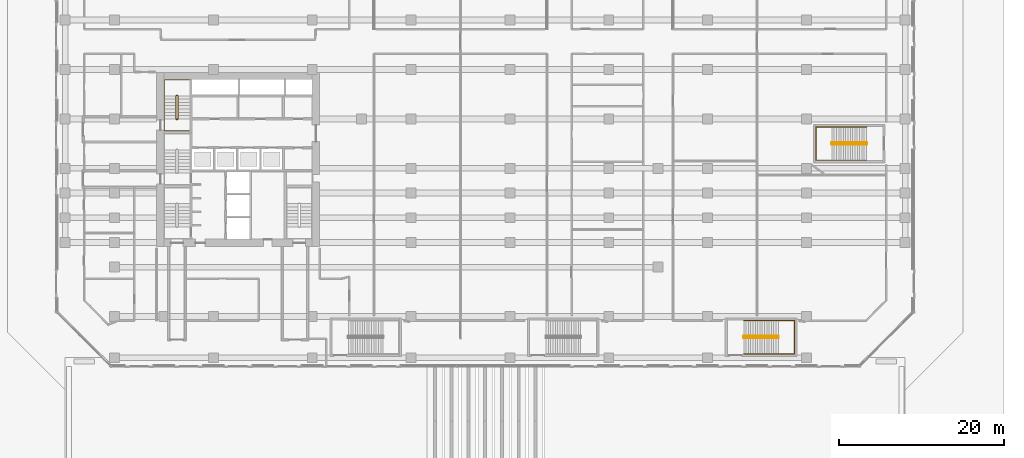
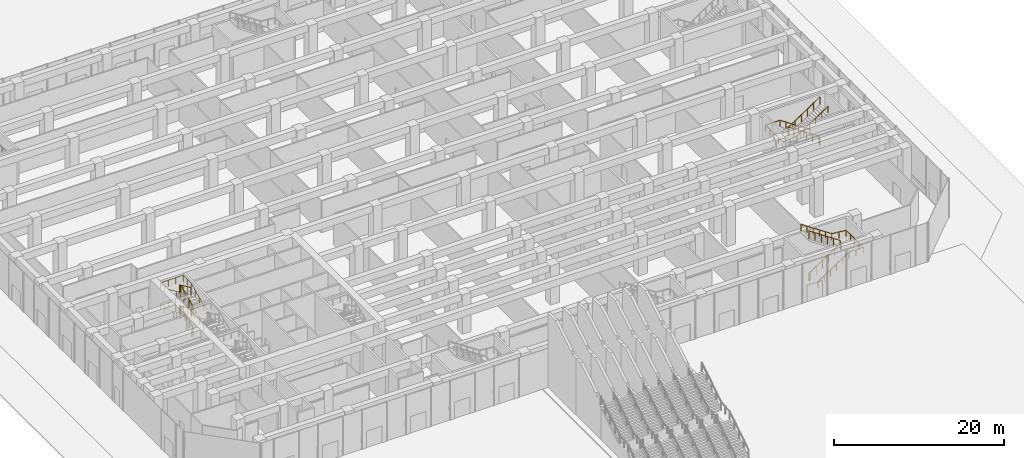
# One storey, part 30 of 32: 6 railings.
"""IFC4 building model written with IfcOpenShell, lengths in metres."""

from ifc_helpers import new_model, si_unit, direction, frame, origin, origin_2d, place, context, subcontext, project, spatial, circle, extrude, material, type_object, element, save


model = new_model("IFC4")

# Units and contexts
model_context = context("Model", 3, precision=1e-05, world=origin(), true_north=direction((0.0, 1.0)))
body_context = subcontext(model_context, "Body", "Model", "MODEL_VIEW")
ifc_project = project(units=[si_unit("LENGTHUNIT", "METRE"), si_unit("AREAUNIT", "SQUARE_METRE"), si_unit("VOLUMEUNIT", "CUBIC_METRE"), si_unit("PLANEANGLEUNIT", "RADIAN"), si_unit("MASSUNIT", "GRAM", prefix="KILO")], contexts=[model_context])

# Site, building, storey
site_placement = place(None, origin())
site = spatial("IfcSite", under=ifc_project, at=site_placement, CompositionType="ELEMENT")
building_placement = place(site_placement, origin())
building = spatial("IfcBuilding", under=site, at=building_placement, Name="Welwitschia Terrace Campus", CompositionType="ELEMENT")
storey_placement = place(building_placement, origin())
storey = spatial("IfcBuildingStorey", under=building, at=storey_placement, Name="L00", CompositionType="ELEMENT", Elevation=0.0)

# Railings
ifc_material_1 = material(Name="Steel S355", Category="steel")
railing_type_1 = type_object("IfcRailingType", Name="Stair guard 1100", PredefinedType="GUARDRAIL", material=ifc_material_1)
railing_1_placement = place(storey_placement, frame((7.5, 19.949951171875, 0.0)))
element("IfcRailing", 1, at=railing_1_placement, inside=storey, type_object=railing_type_1, Name="L00 S4 stair guard", PredefinedType="GUARDRAIL", context=body_context, shape_type="SweptSolid", body=[
    extrude(circle(Radius=0.02392578125, at=origin_2d()), frame((0.0, 0.0, 1.076171875), z_axis=(1.0, 0.0, 0.0), x_axis=(0.0, 1.0, 0.0)), (0.0, 0.0, 1.0), 0.14990234375),
    extrude(circle(Radius=0.02392578125, at=origin_2d()), frame((0.14990234375, 0.0, 1.076171875), z_axis=(0.249726431254, 0.249726431254, 0.935560483917), x_axis=(-0.707106781187, 0.707106781187, 0.0)), (0.0, 0.0, 1.0), 0.200439453125),
    extrude(circle(Radius=0.02392578125, at=origin_2d()), frame((0.199951171875, 0.050048828125, 1.263671875), z_axis=(0.0, 0.905461780365, 0.424427808112), x_axis=(-1.0, 0.0, 0.0)), (0.0, 0.0, 1.0), 3.09228515625),
    extrude(circle(Radius=0.02392578125, at=origin_2d()), frame((0.199951171875, 2.85009765625, 2.576171875), z_axis=(-0.707106781187, 0.707106781187, 0.0), x_axis=(-0.707106781187, -0.707106781187, 0.0)), (0.0, 0.0, 1.0), 0.07080078125),
    extrude(circle(Radius=0.02392578125, at=origin_2d()), frame((0.14990234375, 2.900146484375, 2.576171875), z_axis=(-1.0, 0.0, 0.0), x_axis=(0.0, -1.0, 0.0)), (0.0, 0.0, 1.0), 0.14990234375),
    extrude(circle(Radius=0.02392578125, at=origin_2d()), frame((0.0, 2.900146484375, 2.576171875), z_axis=(-0.249726431254, -0.249726431254, 0.935560483917), x_axis=(0.707106781187, -0.707106781187, 0.0)), (0.0, 0.0, 1.0), 0.200439453125),
    extrude(circle(Radius=0.02392578125, at=origin_2d()), frame((-0.050048828125, 2.85009765625, 2.763671875), z_axis=(0.0, -0.905461780365, 0.424427808112), x_axis=(1.0, 0.0, 0.0)), (0.0, 0.0, 1.0), 3.09228515625),
    extrude(circle(Radius=0.02392578125, at=origin_2d()), frame((-0.050048828125, 0.050048828125, 4.076171875), z_axis=(0.970072785993, -0.242814311512, 0.0), x_axis=(0.242814311512, 0.970072785993, 0.0)), (0.0, 0.0, 1.0), 0.2060546875),
    extrude(circle(Radius=0.02392578125, at=origin_2d()), frame((0.14990234375, 0.0, 4.076171875), z_axis=(-1.0, 0.0, 0.0), x_axis=(0.0, -1.0, 0.0)), (0.0, 0.0, 1.0), 0.14990234375),
    extrude(circle(Radius=0.02392578125, at=origin_2d()), frame((0.0, 0.0, 4.076171875), z_axis=(0.717590528518, 0.179616676857, 0.672905404032), x_axis=(-0.242814311512, 0.970072785993, 0.0)), (0.0, 0.0, 1.0), 0.278564453125),
    extrude(circle(Radius=0.02392578125, at=origin_2d()), frame((0.199951171875, 0.050048828125, 4.263671875), z_axis=(0.0, 0.905461780365, 0.424427808112), x_axis=(-1.0, 0.0, 0.0)), (0.0, 0.0, 1.0), 3.09228515625),
    extrude(circle(Radius=0.02392578125, at=origin_2d()), frame((0.199951171875, 2.85009765625, 5.576171875), z_axis=(-0.707106781187, 0.707106781187, 0.0), x_axis=(-0.707106781187, -0.707106781187, 0.0)), (0.0, 0.0, 1.0), 0.07080078125),
    extrude(circle(Radius=0.02392578125, at=origin_2d()), frame((0.14990234375, 2.900146484375, 5.576171875), z_axis=(-1.0, 0.0, 0.0), x_axis=(0.0, -1.0, 0.0)), (0.0, 0.0, 1.0), 0.14990234375),
    extrude(circle(Radius=0.02392578125, at=origin_2d()), frame((0.0, 2.900146484375, 5.576171875), z_axis=(-0.249726431254, -0.249726431254, 0.935560483917), x_axis=(0.707106781187, -0.707106781187, 0.0)), (0.0, 0.0, 1.0), 0.200439453125),
    extrude(circle(Radius=0.02392578125, at=origin_2d()), frame((-0.050048828125, 2.85009765625, 5.763671875), z_axis=(0.0, -0.905461780365, 0.424427808112), x_axis=(1.0, 0.0, 0.0)), (0.0, 0.0, 1.0), 3.09228515625),
    extrude(circle(Radius=0.02099609375, at=origin_2d()), origin(), (0.0, 0.0, 1.0), 1.052001953125),
    extrude(circle(Radius=0.02099609375, at=origin_2d()), frame((0.14990234375, 0.0, 0.0)), (0.0, 0.0, 1.0), 1.052001953125),
    extrude(circle(Radius=0.02099609375, at=origin_2d()), frame((0.199951171875, 0.050048828125, 0.1875)), (0.0, 0.0, 1.0), 1.052001953125),
    extrude(circle(Radius=0.02099609375, at=origin_2d()), frame((0.199951171875, 0.9833984375, 0.625)), (0.0, 0.0, 1.0), 1.052001953125),
    extrude(circle(Radius=0.02099609375, at=origin_2d()), frame((0.199951171875, 1.916748046875, 1.0625)), (0.0, 0.0, 1.0), 1.052001953125),
    extrude(circle(Radius=0.02099609375, at=origin_2d()), frame((0.199951171875, 2.85009765625, 1.5)), (0.0, 0.0, 1.0), 1.052001953125),
    extrude(circle(Radius=0.02099609375, at=origin_2d()), frame((0.14990234375, 2.900146484375, 1.5)), (0.0, 0.0, 1.0), 1.052001953125),
    extrude(circle(Radius=0.02099609375, at=origin_2d()), frame((0.0, 2.900146484375, 1.5)), (0.0, 0.0, 1.0), 1.052001953125),
    extrude(circle(Radius=0.02099609375, at=origin_2d()), frame((-0.050048828125, 2.85009765625, 1.6875)), (0.0, 0.0, 1.0), 1.052001953125),
    extrude(circle(Radius=0.02099609375, at=origin_2d()), frame((-0.050048828125, 1.916748046875, 2.125)), (0.0, 0.0, 1.0), 1.052001953125),
    extrude(circle(Radius=0.02099609375, at=origin_2d()), frame((-0.050048828125, 0.9833984375, 2.5625)), (0.0, 0.0, 1.0), 1.052001953125),
    extrude(circle(Radius=0.02099609375, at=origin_2d()), frame((-0.050048828125, 0.050048828125, 3.0)), (0.0, 0.0, 1.0), 1.052001953125),
    extrude(circle(Radius=0.02099609375, at=origin_2d()), frame((0.14990234375, 0.0, 3.0)), (0.0, 0.0, 1.0), 1.052001953125),
    extrude(circle(Radius=0.02099609375, at=origin_2d()), frame((0.0, 0.0, 3.0)), (0.0, 0.0, 1.0), 1.052001953125),
    extrude(circle(Radius=0.02099609375, at=origin_2d()), frame((0.199951171875, 0.050048828125, 3.1875)), (0.0, 0.0, 1.0), 1.052001953125),
    extrude(circle(Radius=0.02099609375, at=origin_2d()), frame((0.199951171875, 0.9833984375, 3.625)), (0.0, 0.0, 1.0), 1.052001953125),
    extrude(circle(Radius=0.02099609375, at=origin_2d()), frame((0.199951171875, 1.916748046875, 4.0625)), (0.0, 0.0, 1.0), 1.052001953125),
    extrude(circle(Radius=0.02099609375, at=origin_2d()), frame((0.199951171875, 2.85009765625, 4.5)), (0.0, 0.0, 1.0), 1.052001953125),
    extrude(circle(Radius=0.02099609375, at=origin_2d()), frame((0.14990234375, 2.900146484375, 4.5)), (0.0, 0.0, 1.0), 1.052001953125),
    extrude(circle(Radius=0.02099609375, at=origin_2d()), frame((0.0, 2.900146484375, 4.5)), (0.0, 0.0, 1.0), 1.052001953125),
    extrude(circle(Radius=0.02099609375, at=origin_2d()), frame((-0.050048828125, 2.85009765625, 4.6875)), (0.0, 0.0, 1.0), 1.052001953125),
    extrude(circle(Radius=0.02099609375, at=origin_2d()), frame((-0.050048828125, 1.916748046875, 5.125)), (0.0, 0.0, 1.0), 1.052001953125),
    extrude(circle(Radius=0.02099609375, at=origin_2d()), frame((-0.050048828125, 0.9833984375, 5.5625)), (0.0, 0.0, 1.0), 1.052001953125),
    extrude(circle(Radius=0.02099609375, at=origin_2d()), frame((-0.050048828125, 0.050048828125, 6.0)), (0.0, 0.0, 1.0), 1.052001953125),
])
railing_2_placement = place(storey_placement, frame((76.35009765625, -6.425048828125, 0.0)))
element("IfcRailing", 2, at=railing_2_placement, inside=storey, type_object=railing_type_1, Name="L00 P5 stair guard", PredefinedType="GUARDRAIL", context=body_context, shape_type="SweptSolid", body=[
    extrude(circle(Radius=0.02392578125, at=origin_2d()), frame((0.0, 0.0, 1.076171875), z_axis=(0.0, -1.0, 0.0), x_axis=(1.0, 0.0, 0.0)), (0.0, 0.0, 1.0), 0.14990234375),
    extrude(circle(Radius=0.02392578125, at=origin_2d()), frame((0.0, -0.14990234375, 1.076171875), z_axis=(0.248583702486, -0.249802250048, 0.935844527007), x_axis=(0.708833529934, 0.705375805398, 0.0)), (0.0, 0.0, 1.0), 0.200439453125),
    extrude(circle(Radius=0.02392578125, at=origin_2d()), frame((0.0498046875, -0.199951171875, 1.263671875), z_axis=(0.830919138977, 0.0, 0.55639319234), x_axis=(0.0, 1.0, 0.0)), (0.0, 0.0, 1.0), 5.054931640625),
    extrude(circle(Radius=0.02392578125, at=origin_2d()), frame((4.25, -0.199951171875, 4.076171875), z_axis=(0.705375805398, 0.708833529934, 0.0), x_axis=(-0.708833529934, 0.705375805398, 0.0)), (0.0, 0.0, 1.0), 0.070556640625),
    extrude(circle(Radius=0.02392578125, at=origin_2d()), frame((4.2998046875, -0.14990234375, 4.076171875), z_axis=(0.0, 1.0, 0.0), x_axis=(-1.0, 0.0, 0.0)), (0.0, 0.0, 1.0), 0.14990234375),
    extrude(circle(Radius=0.02392578125, at=origin_2d()), frame((4.2998046875, 0.0, 4.076171875), z_axis=(-0.248583702486, 0.249802250048, 0.935844527007), x_axis=(-0.708833529934, -0.705375805398, 0.0)), (0.0, 0.0, 1.0), 0.200439453125),
    extrude(circle(Radius=0.02392578125, at=origin_2d()), frame((4.25, 0.050048828125, 4.263671875), z_axis=(-0.830919138977, 0.0, 0.55639319234), x_axis=(0.0, -1.0, 0.0)), (0.0, 0.0, 1.0), 5.054931640625),
    extrude(circle(Radius=0.02099609375, at=origin_2d()), origin(), (0.0, 0.0, 1.0), 1.052001953125),
    extrude(circle(Radius=0.02099609375, at=origin_2d()), frame((0.0, -0.14990234375, 0.0)), (0.0, 0.0, 1.0), 1.052001953125),
    extrude(circle(Radius=0.02099609375, at=origin_2d()), frame((0.0498046875, -0.199951171875, 0.1875)), (0.0, 0.0, 1.0), 1.052001953125),
    extrude(circle(Radius=0.02099609375, at=origin_2d()), frame((0.889892578125, -0.199951171875, 0.75)), (0.0, 0.0, 1.0), 1.052001953125),
    extrude(circle(Radius=0.02099609375, at=origin_2d()), frame((1.72998046875, -0.199951171875, 1.3125)), (0.0, 0.0, 1.0), 1.052001953125),
    extrude(circle(Radius=0.02099609375, at=origin_2d()), frame((2.56982421875, -0.199951171875, 1.875)), (0.0, 0.0, 1.0), 1.052001953125),
    extrude(circle(Radius=0.02099609375, at=origin_2d()), frame((3.409912109375, -0.199951171875, 2.4375)), (0.0, 0.0, 1.0), 1.052001953125),
    extrude(circle(Radius=0.02099609375, at=origin_2d()), frame((4.25, -0.199951171875, 3.0)), (0.0, 0.0, 1.0), 1.052001953125),
    extrude(circle(Radius=0.02099609375, at=origin_2d()), frame((4.2998046875, -0.14990234375, 3.0)), (0.0, 0.0, 1.0), 1.052001953125),
    extrude(circle(Radius=0.02099609375, at=origin_2d()), frame((4.2998046875, 0.0, 3.0)), (0.0, 0.0, 1.0), 1.052001953125),
    extrude(circle(Radius=0.02099609375, at=origin_2d()), frame((4.25, 0.050048828125, 3.1875)), (0.0, 0.0, 1.0), 1.052001953125),
    extrude(circle(Radius=0.02099609375, at=origin_2d()), frame((3.409912109375, 0.050048828125, 3.75)), (0.0, 0.0, 1.0), 1.052001953125),
    extrude(circle(Radius=0.02099609375, at=origin_2d()), frame((2.56982421875, 0.050048828125, 4.3125)), (0.0, 0.0, 1.0), 1.052001953125),
    extrude(circle(Radius=0.02099609375, at=origin_2d()), frame((1.72998046875, 0.050048828125, 4.875)), (0.0, 0.0, 1.0), 1.052001953125),
    extrude(circle(Radius=0.02099609375, at=origin_2d()), frame((0.889892578125, 0.050048828125, 5.4375)), (0.0, 0.0, 1.0), 1.052001953125),
    extrude(circle(Radius=0.02099609375, at=origin_2d()), frame((0.0498046875, 0.050048828125, 6.0)), (0.0, 0.0, 1.0), 1.052001953125),
])
railing_3_placement = place(storey_placement, frame((91.35009765625, 16.925048828125, 0.0)))
element("IfcRailing", 3, at=railing_3_placement, inside=storey, type_object=railing_type_1, Name="L00 P6 stair guard", PredefinedType="GUARDRAIL", context=body_context, shape_type="SweptSolid", body=[
    extrude(circle(Radius=0.02392578125, at=origin_2d()), frame((0.0, 0.0, 1.076171875), z_axis=(0.0, 1.0, 0.0), x_axis=(-1.0, 0.0, 0.0)), (0.0, 0.0, 1.0), 0.14990234375),
    extrude(circle(Radius=0.02392578125, at=origin_2d()), frame((0.0, 0.14990234375, 1.076171875), z_axis=(-0.249726431254, 0.249726431254, 0.935560483917), x_axis=(-0.707106781187, -0.707106781187, 0.0)), (0.0, 0.0, 1.0), 0.200439453125),
    extrude(circle(Radius=0.02392578125, at=origin_2d()), frame((-0.050048828125, 0.199951171875, 1.263671875), z_axis=(-0.830904186295, 0.0, 0.556415522067), x_axis=(0.0, -1.0, 0.0)), (0.0, 0.0, 1.0), 5.0546875),
    extrude(circle(Radius=0.02392578125, at=origin_2d()), frame((-4.25, 0.199951171875, 4.076171875), z_axis=(-0.707106781187, -0.707106781187, 0.0), x_axis=(0.707106781187, -0.707106781187, 0.0)), (0.0, 0.0, 1.0), 0.07080078125),
    extrude(circle(Radius=0.02392578125, at=origin_2d()), frame((-4.300048828125, 0.14990234375, 4.076171875), z_axis=(0.0, -1.0, 0.0), x_axis=(1.0, 0.0, 0.0)), (0.0, 0.0, 1.0), 0.14990234375),
    extrude(circle(Radius=0.02392578125, at=origin_2d()), frame((-4.300048828125, 0.0, 4.076171875), z_axis=(0.249726431254, -0.249726431254, 0.935560483917), x_axis=(0.707106781187, 0.707106781187, 0.0)), (0.0, 0.0, 1.0), 0.200439453125),
    extrude(circle(Radius=0.02392578125, at=origin_2d()), frame((-4.25, -0.050048828125, 4.263671875), z_axis=(0.830904186295, 0.0, 0.556415522067), x_axis=(0.0, 1.0, 0.0)), (0.0, 0.0, 1.0), 5.0546875),
    extrude(circle(Radius=0.02099609375, at=origin_2d()), origin(), (0.0, 0.0, 1.0), 1.052001953125),
    extrude(circle(Radius=0.02099609375, at=origin_2d()), frame((0.0, 0.14990234375, 0.0)), (0.0, 0.0, 1.0), 1.052001953125),
    extrude(circle(Radius=0.02099609375, at=origin_2d()), frame((-0.050048828125, 0.199951171875, 0.1875)), (0.0, 0.0, 1.0), 1.052001953125),
    extrude(circle(Radius=0.02099609375, at=origin_2d()), frame((-0.89013671875, 0.199951171875, 0.75)), (0.0, 0.0, 1.0), 1.052001953125),
    extrude(circle(Radius=0.02099609375, at=origin_2d()), frame((-1.72998046875, 0.199951171875, 1.3125)), (0.0, 0.0, 1.0), 1.052001953125),
    extrude(circle(Radius=0.02099609375, at=origin_2d()), frame((-2.570068359375, 0.199951171875, 1.875)), (0.0, 0.0, 1.0), 1.052001953125),
    extrude(circle(Radius=0.02099609375, at=origin_2d()), frame((-3.409912109375, 0.199951171875, 2.4375)), (0.0, 0.0, 1.0), 1.052001953125),
    extrude(circle(Radius=0.02099609375, at=origin_2d()), frame((-4.25, 0.199951171875, 3.0)), (0.0, 0.0, 1.0), 1.052001953125),
    extrude(circle(Radius=0.02099609375, at=origin_2d()), frame((-4.300048828125, 0.14990234375, 3.0)), (0.0, 0.0, 1.0), 1.052001953125),
    extrude(circle(Radius=0.02099609375, at=origin_2d()), frame((-4.300048828125, 0.0, 3.0)), (0.0, 0.0, 1.0), 1.052001953125),
    extrude(circle(Radius=0.02099609375, at=origin_2d()), frame((-4.25, -0.050048828125, 3.1875)), (0.0, 0.0, 1.0), 1.052001953125),
    extrude(circle(Radius=0.02099609375, at=origin_2d()), frame((-3.409912109375, -0.050048828125, 3.75)), (0.0, 0.0, 1.0), 1.052001953125),
    extrude(circle(Radius=0.02099609375, at=origin_2d()), frame((-2.570068359375, -0.050048828125, 4.3125)), (0.0, 0.0, 1.0), 1.052001953125),
    extrude(circle(Radius=0.02099609375, at=origin_2d()), frame((-1.72998046875, -0.050048828125, 4.875)), (0.0, 0.0, 1.0), 1.052001953125),
    extrude(circle(Radius=0.02099609375, at=origin_2d()), frame((-0.89013671875, -0.050048828125, 5.4375)), (0.0, 0.0, 1.0), 1.052001953125),
    extrude(circle(Radius=0.02099609375, at=origin_2d()), frame((-0.050048828125, -0.050048828125, 6.0)), (0.0, 0.0, 1.0), 1.052001953125),
])
ifc_material_2 = material(Name="Steel S355", Category="steel")
railing_type_2 = type_object("IfcRailingType", Name="Stair handrail 900", PredefinedType="HANDRAIL", material=ifc_material_2)
railing_4_placement = place(storey_placement, frame((9.10009765625, 20.0, 0.1875)))
element("IfcRailing", 4, at=railing_4_placement, inside=storey, type_object=railing_type_2, Name="L00 S4 stair handrail", PredefinedType="HANDRAIL", context=body_context, shape_type="SweptSolid", body=[
    extrude(circle(Radius=0.02392578125, at=origin_2d()), frame((0.0, 0.0, 0.8759765625), z_axis=(0.0, 0.905461780365, 0.424427808112), x_axis=(-1.0, 0.0, 0.0)), (0.0, 0.0, 1.0), 3.09228515625),
    extrude(circle(Radius=0.02392578125, at=origin_2d()), frame((0.0, 2.800048828125, 2.1884765625), z_axis=(0.0, 1.0, 0.0), x_axis=(-1.0, 0.0, 0.0)), (0.0, 0.0, 1.0), 1.949951171875),
    extrude(circle(Radius=0.02392578125, at=origin_2d()), frame((0.0, 4.75, 2.1884765625), z_axis=(-1.0, 0.0, 0.0), x_axis=(0.0, -1.0, 0.0)), (0.0, 0.0, 1.0), 3.050048828125),
    extrude(circle(Radius=0.02392578125, at=origin_2d()), frame((-3.050048828125, 4.75, 2.1884765625), z_axis=(0.0, -0.995408800756, 0.095714781392), x_axis=(1.0, 0.0, 0.0)), (0.0, 0.0, 1.0), 1.958984375),
    extrude(circle(Radius=0.02392578125, at=origin_2d()), frame((-3.050048828125, 2.800048828125, 2.3759765625), z_axis=(0.0, -0.905461780365, 0.424427808112), x_axis=(1.0, 0.0, 0.0)), (0.0, 0.0, 1.0), 3.09228515625),
    extrude(circle(Radius=0.02392578125, at=origin_2d()), frame((-3.050048828125, 0.0, 3.6884765625), z_axis=(0.0, -1.0, 0.0), x_axis=(1.0, 0.0, 0.0)), (0.0, 0.0, 1.0), 1.449951171875),
    extrude(circle(Radius=0.02392578125, at=origin_2d()), frame((-3.050048828125, -1.449951171875, 3.6884765625), z_axis=(1.0, 0.0, 0.0), x_axis=(0.0, 1.0, 0.0)), (0.0, 0.0, 1.0), 3.050048828125),
    extrude(circle(Radius=0.02392578125, at=origin_2d()), frame((0.0, -1.449951171875, 3.6884765625), z_axis=(0.0, 0.991742277163, 0.128246854498), x_axis=(-1.0, 0.0, 0.0)), (0.0, 0.0, 1.0), 1.4619140625),
    extrude(circle(Radius=0.02392578125, at=origin_2d()), frame((0.0, 0.0, 3.8759765625), z_axis=(0.0, 0.905461780365, 0.424427808112), x_axis=(-1.0, 0.0, 0.0)), (0.0, 0.0, 1.0), 3.09228515625),
    extrude(circle(Radius=0.02392578125, at=origin_2d()), frame((0.0, 2.800048828125, 5.1884765625), z_axis=(0.0, 1.0, 0.0), x_axis=(-1.0, 0.0, 0.0)), (0.0, 0.0, 1.0), 1.949951171875),
    extrude(circle(Radius=0.02392578125, at=origin_2d()), frame((0.0, 4.75, 5.1884765625), z_axis=(-1.0, 0.0, 0.0), x_axis=(0.0, -1.0, 0.0)), (0.0, 0.0, 1.0), 3.050048828125),
    extrude(circle(Radius=0.02392578125, at=origin_2d()), frame((-3.050048828125, 4.75, 5.1884765625), z_axis=(0.0, -0.995408800756, 0.095714781392), x_axis=(1.0, 0.0, 0.0)), (0.0, 0.0, 1.0), 1.958984375),
    extrude(circle(Radius=0.02392578125, at=origin_2d()), frame((-3.050048828125, 2.800048828125, 5.3759765625), z_axis=(0.0, -0.905461780365, 0.424427808112), x_axis=(1.0, 0.0, 0.0)), (0.0, 0.0, 1.0), 3.09228515625),
    extrude(circle(Radius=0.02099609375, at=origin_2d()), origin(), (0.0, 0.0, 1.0), 0.851806640625),
    extrude(circle(Radius=0.02099609375, at=origin_2d()), frame((0.0, 0.933349609375, 0.4375)), (0.0, 0.0, 1.0), 0.851806640625),
    extrude(circle(Radius=0.02099609375, at=origin_2d()), frame((0.0, 1.86669921875, 0.875)), (0.0, 0.0, 1.0), 0.851806640625),
    extrude(circle(Radius=0.02099609375, at=origin_2d()), frame((0.0, 2.800048828125, 1.3125)), (0.0, 0.0, 1.0), 0.851806640625),
    extrude(circle(Radius=0.02099609375, at=origin_2d()), frame((0.0, 3.77490234375, 1.3125)), (0.0, 0.0, 1.0), 0.851806640625),
    extrude(circle(Radius=0.02099609375, at=origin_2d()), frame((0.0, 4.75, 1.3125)), (0.0, 0.0, 1.0), 0.851806640625),
    extrude(circle(Radius=0.02099609375, at=origin_2d()), frame((-1.0166015625, 4.75, 1.3125)), (0.0, 0.0, 1.0), 0.851806640625),
    extrude(circle(Radius=0.02099609375, at=origin_2d()), frame((-2.033447265625, 4.75, 1.3125)), (0.0, 0.0, 1.0), 0.851806640625),
    extrude(circle(Radius=0.02099609375, at=origin_2d()), frame((-3.050048828125, 4.75, 1.3125)), (0.0, 0.0, 1.0), 0.851806640625),
    extrude(circle(Radius=0.02099609375, at=origin_2d()), frame((-3.050048828125, 3.77490234375, 1.40625)), (0.0, 0.0, 1.0), 0.851806640625),
    extrude(circle(Radius=0.02099609375, at=origin_2d()), frame((-3.050048828125, 2.800048828125, 1.5)), (0.0, 0.0, 1.0), 0.851806640625),
    extrude(circle(Radius=0.02099609375, at=origin_2d()), frame((-3.050048828125, 1.86669921875, 1.9375)), (0.0, 0.0, 1.0), 0.851806640625),
    extrude(circle(Radius=0.02099609375, at=origin_2d()), frame((-3.050048828125, 0.933349609375, 2.375)), (0.0, 0.0, 1.0), 0.851806640625),
    extrude(circle(Radius=0.02099609375, at=origin_2d()), frame((-3.050048828125, 0.0, 2.8125)), (0.0, 0.0, 1.0), 0.851806640625),
    extrude(circle(Radius=0.02099609375, at=origin_2d()), frame((-3.050048828125, -0.72509765625, 2.8125)), (0.0, 0.0, 1.0), 0.851806640625),
    extrude(circle(Radius=0.02099609375, at=origin_2d()), frame((-3.050048828125, -1.449951171875, 2.8125)), (0.0, 0.0, 1.0), 0.851806640625),
    extrude(circle(Radius=0.02099609375, at=origin_2d()), frame((-2.033447265625, -1.449951171875, 2.8125)), (0.0, 0.0, 1.0), 0.851806640625),
    extrude(circle(Radius=0.02099609375, at=origin_2d()), frame((-1.0166015625, -1.449951171875, 2.8125)), (0.0, 0.0, 1.0), 0.851806640625),
    extrude(circle(Radius=0.02099609375, at=origin_2d()), frame((0.0, -1.449951171875, 2.8125)), (0.0, 0.0, 1.0), 0.851806640625),
    extrude(circle(Radius=0.02099609375, at=origin_2d()), frame((0.0, -0.72509765625, 2.90625)), (0.0, 0.0, 1.0), 0.851806640625),
    extrude(circle(Radius=0.02099609375, at=origin_2d()), frame((0.0, 0.0, 3.0)), (0.0, 0.0, 1.0), 0.851806640625),
    extrude(circle(Radius=0.02099609375, at=origin_2d()), frame((0.0, 0.933349609375, 3.4375)), (0.0, 0.0, 1.0), 0.851806640625),
    extrude(circle(Radius=0.02099609375, at=origin_2d()), frame((0.0, 1.86669921875, 3.875)), (0.0, 0.0, 1.0), 0.851806640625),
    extrude(circle(Radius=0.02099609375, at=origin_2d()), frame((0.0, 2.800048828125, 4.3125)), (0.0, 0.0, 1.0), 0.851806640625),
    extrude(circle(Radius=0.02099609375, at=origin_2d()), frame((0.0, 3.77490234375, 4.3125)), (0.0, 0.0, 1.0), 0.851806640625),
    extrude(circle(Radius=0.02099609375, at=origin_2d()), frame((0.0, 4.75, 4.3125)), (0.0, 0.0, 1.0), 0.851806640625),
    extrude(circle(Radius=0.02099609375, at=origin_2d()), frame((-1.0166015625, 4.75, 4.3125)), (0.0, 0.0, 1.0), 0.851806640625),
    extrude(circle(Radius=0.02099609375, at=origin_2d()), frame((-2.033447265625, 4.75, 4.3125)), (0.0, 0.0, 1.0), 0.851806640625),
    extrude(circle(Radius=0.02099609375, at=origin_2d()), frame((-3.050048828125, 4.75, 4.3125)), (0.0, 0.0, 1.0), 0.851806640625),
    extrude(circle(Radius=0.02099609375, at=origin_2d()), frame((-3.050048828125, 3.77490234375, 4.40625)), (0.0, 0.0, 1.0), 0.851806640625),
    extrude(circle(Radius=0.02099609375, at=origin_2d()), frame((-3.050048828125, 2.800048828125, 4.5)), (0.0, 0.0, 1.0), 0.851806640625),
    extrude(circle(Radius=0.02099609375, at=origin_2d()), frame((-3.050048828125, 1.86669921875, 4.9375)), (0.0, 0.0, 1.0), 0.851806640625),
    extrude(circle(Radius=0.02099609375, at=origin_2d()), frame((-3.050048828125, 0.933349609375, 5.375)), (0.0, 0.0, 1.0), 0.851806640625),
    extrude(circle(Radius=0.02099609375, at=origin_2d()), frame((-3.050048828125, 0.0, 5.8125)), (0.0, 0.0, 1.0), 0.851806640625),
])
railing_5_placement = place(storey_placement, frame((76.39990234375, -8.52490234375, 0.1875)))
element("IfcRailing", 5, at=railing_5_placement, inside=storey, type_object=railing_type_2, Name="L00 P5 stair handrail", PredefinedType="HANDRAIL", context=body_context, shape_type="SweptSolid", body=[
    extrude(circle(Radius=0.02392578125, at=origin_2d()), frame((0.0, 0.0, 0.8759765625), z_axis=(0.830919138977, 0.0, 0.55639319234), x_axis=(0.0, 1.0, 0.0)), (0.0, 0.0, 1.0), 5.054931640625),
    extrude(circle(Radius=0.02392578125, at=origin_2d()), frame((4.2001953125, 0.0, 3.6884765625), z_axis=(1.0, 0.0, 0.0), x_axis=(0.0, 1.0, 0.0)), (0.0, 0.0, 1.0), 1.949951171875),
    extrude(circle(Radius=0.02392578125, at=origin_2d()), frame((6.150146484375, 0.0, 3.6884765625), z_axis=(0.0, 1.0, 0.0), x_axis=(-1.0, 0.0, 0.0)), (0.0, 0.0, 1.0), 4.0498046875),
    extrude(circle(Radius=0.02392578125, at=origin_2d()), frame((6.150146484375, 4.0498046875, 3.6884765625), z_axis=(-0.995408800756, 0.0, 0.095714781392), x_axis=(0.0, -1.0, 0.0)), (0.0, 0.0, 1.0), 1.958984375),
    extrude(circle(Radius=0.02392578125, at=origin_2d()), frame((4.2001953125, 4.0498046875, 3.8759765625), z_axis=(-0.830919138977, 0.0, 0.55639319234), x_axis=(0.0, -1.0, 0.0)), (0.0, 0.0, 1.0), 5.054931640625),
    extrude(circle(Radius=0.02099609375, at=origin_2d()), origin(), (0.0, 0.0, 1.0), 0.851806640625),
    extrude(circle(Radius=0.02099609375, at=origin_2d()), frame((0.840087890625, 0.0, 0.5625)), (0.0, 0.0, 1.0), 0.851806640625),
    extrude(circle(Radius=0.02099609375, at=origin_2d()), frame((1.68017578125, 0.0, 1.125)), (0.0, 0.0, 1.0), 0.851806640625),
    extrude(circle(Radius=0.02099609375, at=origin_2d()), frame((2.52001953125, 0.0, 1.6875)), (0.0, 0.0, 1.0), 0.851806640625),
    extrude(circle(Radius=0.02099609375, at=origin_2d()), frame((3.360107421875, 0.0, 2.25)), (0.0, 0.0, 1.0), 0.851806640625),
    extrude(circle(Radius=0.02099609375, at=origin_2d()), frame((4.2001953125, 0.0, 2.8125)), (0.0, 0.0, 1.0), 0.851806640625),
    extrude(circle(Radius=0.02099609375, at=origin_2d()), frame((5.17529296875, 0.0, 2.8125)), (0.0, 0.0, 1.0), 0.851806640625),
    extrude(circle(Radius=0.02099609375, at=origin_2d()), frame((6.150146484375, 0.0, 2.8125)), (0.0, 0.0, 1.0), 0.851806640625),
    extrude(circle(Radius=0.02099609375, at=origin_2d()), frame((6.150146484375, 1.012451171875, 2.8125)), (0.0, 0.0, 1.0), 0.851806640625),
    extrude(circle(Radius=0.02099609375, at=origin_2d()), frame((6.150146484375, 2.02490234375, 2.8125)), (0.0, 0.0, 1.0), 0.851806640625),
    extrude(circle(Radius=0.02099609375, at=origin_2d()), frame((6.150146484375, 3.037353515625, 2.8125)), (0.0, 0.0, 1.0), 0.851806640625),
    extrude(circle(Radius=0.02099609375, at=origin_2d()), frame((6.150146484375, 4.0498046875, 2.8125)), (0.0, 0.0, 1.0), 0.851806640625),
    extrude(circle(Radius=0.02099609375, at=origin_2d()), frame((5.17529296875, 4.0498046875, 2.90625)), (0.0, 0.0, 1.0), 0.851806640625),
    extrude(circle(Radius=0.02099609375, at=origin_2d()), frame((4.2001953125, 4.0498046875, 3.0)), (0.0, 0.0, 1.0), 0.851806640625),
    extrude(circle(Radius=0.02099609375, at=origin_2d()), frame((3.360107421875, 4.0498046875, 3.5625)), (0.0, 0.0, 1.0), 0.851806640625),
    extrude(circle(Radius=0.02099609375, at=origin_2d()), frame((2.52001953125, 4.0498046875, 4.125)), (0.0, 0.0, 1.0), 0.851806640625),
    extrude(circle(Radius=0.02099609375, at=origin_2d()), frame((1.68017578125, 4.0498046875, 4.6875)), (0.0, 0.0, 1.0), 0.851806640625),
    extrude(circle(Radius=0.02099609375, at=origin_2d()), frame((0.840087890625, 4.0498046875, 5.25)), (0.0, 0.0, 1.0), 0.851806640625),
    extrude(circle(Radius=0.02099609375, at=origin_2d()), frame((0.0, 4.0498046875, 5.8125)), (0.0, 0.0, 1.0), 0.851806640625),
])
railing_6_placement = place(storey_placement, frame((91.300048828125, 19.02490234375, 0.1875)))
element("IfcRailing", 6, at=railing_6_placement, inside=storey, type_object=railing_type_2, Name="L00 P6 stair handrail", PredefinedType="HANDRAIL", context=body_context, shape_type="SweptSolid", body=[
    extrude(circle(Radius=0.02392578125, at=origin_2d()), frame((0.0, 0.0, 0.8759765625), z_axis=(-0.830904186295, 0.0, 0.556415522067), x_axis=(0.0, -1.0, 0.0)), (0.0, 0.0, 1.0), 5.0546875),
    extrude(circle(Radius=0.02392578125, at=origin_2d()), frame((-4.199951171875, 0.0, 3.6884765625), z_axis=(-1.0, 0.0, 0.0), x_axis=(0.0, -1.0, 0.0)), (0.0, 0.0, 1.0), 1.9501953125),
    extrude(circle(Radius=0.02392578125, at=origin_2d()), frame((-6.150146484375, 0.0, 3.6884765625), z_axis=(0.0, -1.0, 0.0), x_axis=(1.0, 0.0, 0.0)), (0.0, 0.0, 1.0), 4.0498046875),
    extrude(circle(Radius=0.02392578125, at=origin_2d()), frame((-6.150146484375, -4.0498046875, 3.6884765625), z_axis=(0.995409942306, 0.0, 0.095702908825), x_axis=(0.0, 1.0, 0.0)), (0.0, 0.0, 1.0), 1.959228515625),
    extrude(circle(Radius=0.02392578125, at=origin_2d()), frame((-4.199951171875, -4.0498046875, 3.8759765625), z_axis=(0.830904186295, 0.0, 0.556415522067), x_axis=(0.0, 1.0, 0.0)), (0.0, 0.0, 1.0), 5.0546875),
    extrude(circle(Radius=0.02099609375, at=origin_2d()), origin(), (0.0, 0.0, 1.0), 0.851806640625),
    extrude(circle(Radius=0.02099609375, at=origin_2d()), frame((-0.840087890625, 0.0, 0.5625)), (0.0, 0.0, 1.0), 0.851806640625),
    extrude(circle(Radius=0.02099609375, at=origin_2d()), frame((-1.679931640625, 0.0, 1.125)), (0.0, 0.0, 1.0), 0.851806640625),
    extrude(circle(Radius=0.02099609375, at=origin_2d()), frame((-2.52001953125, 0.0, 1.6875)), (0.0, 0.0, 1.0), 0.851806640625),
    extrude(circle(Radius=0.02099609375, at=origin_2d()), frame((-3.35986328125, 0.0, 2.25)), (0.0, 0.0, 1.0), 0.851806640625),
    extrude(circle(Radius=0.02099609375, at=origin_2d()), frame((-4.199951171875, 0.0, 2.8125)), (0.0, 0.0, 1.0), 0.851806640625),
    extrude(circle(Radius=0.02099609375, at=origin_2d()), frame((-5.175048828125, 0.0, 2.8125)), (0.0, 0.0, 1.0), 0.851806640625),
    extrude(circle(Radius=0.02099609375, at=origin_2d()), frame((-6.150146484375, 0.0, 2.8125)), (0.0, 0.0, 1.0), 0.851806640625),
    extrude(circle(Radius=0.02099609375, at=origin_2d()), frame((-6.150146484375, -1.012451171875, 2.8125)), (0.0, 0.0, 1.0), 0.851806640625),
    extrude(circle(Radius=0.02099609375, at=origin_2d()), frame((-6.150146484375, -2.02490234375, 2.8125)), (0.0, 0.0, 1.0), 0.851806640625),
    extrude(circle(Radius=0.02099609375, at=origin_2d()), frame((-6.150146484375, -3.037353515625, 2.8125)), (0.0, 0.0, 1.0), 0.851806640625),
    extrude(circle(Radius=0.02099609375, at=origin_2d()), frame((-6.150146484375, -4.0498046875, 2.8125)), (0.0, 0.0, 1.0), 0.851806640625),
    extrude(circle(Radius=0.02099609375, at=origin_2d()), frame((-5.175048828125, -4.0498046875, 2.90625)), (0.0, 0.0, 1.0), 0.851806640625),
    extrude(circle(Radius=0.02099609375, at=origin_2d()), frame((-4.199951171875, -4.0498046875, 3.0)), (0.0, 0.0, 1.0), 0.851806640625),
    extrude(circle(Radius=0.02099609375, at=origin_2d()), frame((-3.35986328125, -4.0498046875, 3.5625)), (0.0, 0.0, 1.0), 0.851806640625),
    extrude(circle(Radius=0.02099609375, at=origin_2d()), frame((-2.52001953125, -4.0498046875, 4.125)), (0.0, 0.0, 1.0), 0.851806640625),
    extrude(circle(Radius=0.02099609375, at=origin_2d()), frame((-1.679931640625, -4.0498046875, 4.6875)), (0.0, 0.0, 1.0), 0.851806640625),
    extrude(circle(Radius=0.02099609375, at=origin_2d()), frame((-0.840087890625, -4.0498046875, 5.25)), (0.0, 0.0, 1.0), 0.851806640625),
    extrude(circle(Radius=0.02099609375, at=origin_2d()), frame((0.0, -4.0498046875, 5.8125)), (0.0, 0.0, 1.0), 0.851806640625),
])

save(model, "model.ifc")
